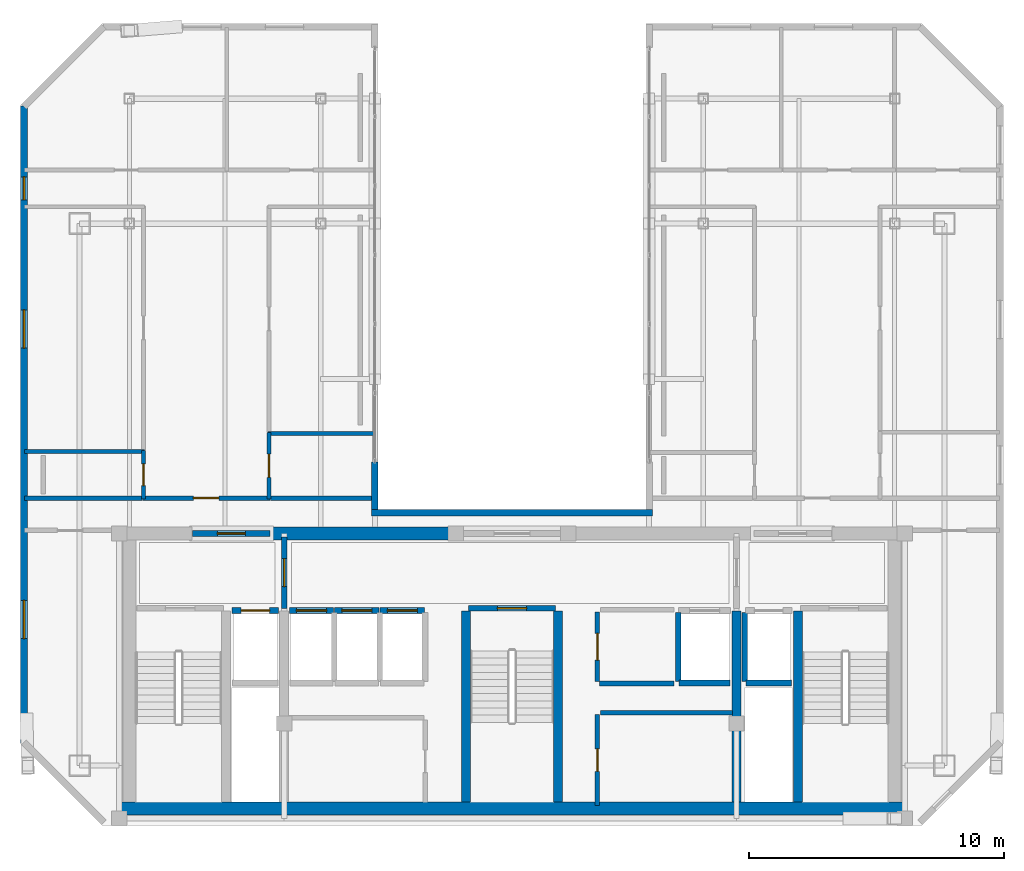
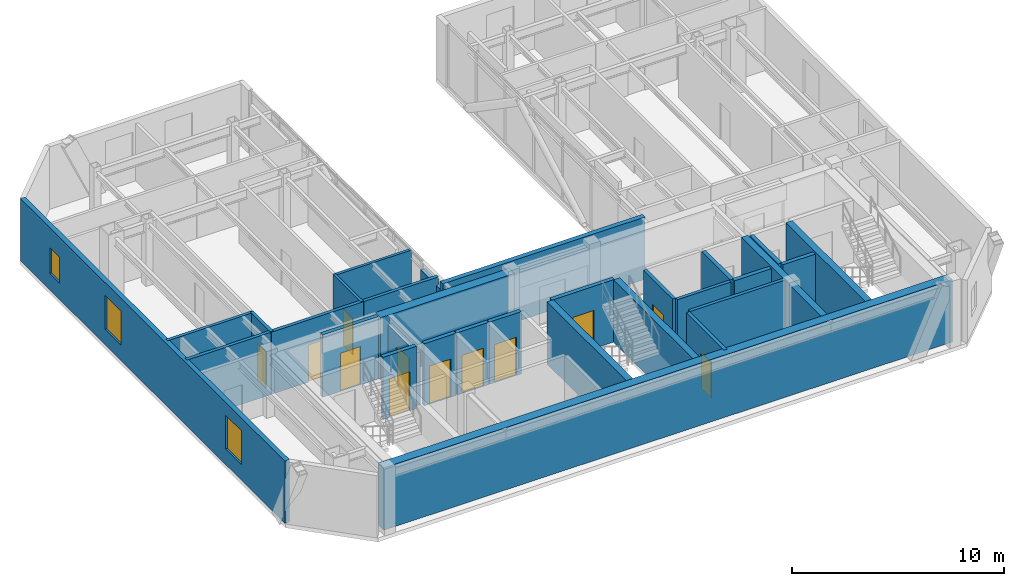
# One storey, part 15 of 19: 31 walls, 12 doors, 3 windows, 15 openings.
"""IFC4 building model written with IfcOpenShell, lengths in metres."""

from ifc_helpers import new_model, si_unit, direction, frame, frame_2d, origin, place, context, subcontext, project, spatial, rectangle, extrude, material, layer, layer_set, type_object, element, fill, save


model = new_model("IFC4")

# Units and contexts
model_context = context("Model", 3, precision=1e-05, world=origin(), true_north=direction((0.0, 1.0)))
body_context = subcontext(model_context, "Body", "Model", "MODEL_VIEW")
ifc_project = project(units=[si_unit("LENGTHUNIT", "METRE"), si_unit("AREAUNIT", "SQUARE_METRE"), si_unit("VOLUMEUNIT", "CUBIC_METRE"), si_unit("PLANEANGLEUNIT", "RADIAN"), si_unit("MASSUNIT", "GRAM", prefix="KILO")], contexts=[model_context])

# Site, building, storey
site_placement = place(None, origin())
site = spatial("IfcSite", under=ifc_project, at=site_placement, CompositionType="ELEMENT")
building_placement = place(site_placement, origin())
building = spatial("IfcBuilding", under=site, at=building_placement, Name="Ventersveld Concourse Tower", CompositionType="ELEMENT")
storey_placement = place(building_placement, frame((0.0, 0.0, 345.199951171875)))
storey = spatial("IfcBuildingStorey", under=building, at=storey_placement, Name="L85", CompositionType="ELEMENT", Elevation=345.199951171875)

# Walls
ifc_material_1 = material(Name="Concrete C50/60", Category="concrete")
ifc_layer_1 = layer(ifc_material_1, 0.35009765625)
ifc_layer_set_1 = layer_set([ifc_layer_1], Name="Concrete C50/60")
wall_type_1 = type_object("IfcWallType", Name="WL-CORE-350U", PredefinedType="SHEAR", material=ifc_layer_set_1)
for number, where, z_axis, x_axis, name in (
    (1, (26.93994140625, 0.919921875, 0.0), (0.0, 0.0, 1.0), (0.0, 1.0, 0.0), "L85 Core Internal Shear Web W-ST3-W"),
    (2, (30.56005859375, 0.919921875, 0.0), (0.0, 0.0, 1.0), (0.0, 1.0, 0.0), "L85 Core Internal Shear Web W-ST3-E"),
    (3, (37.550048828125, 0.919921875, 0.0), (0.0, 0.0, 1.0), (0.0, 1.0, 0.0), "L85 Core Internal Shear Web W-SVL-W"),
    (4, (39.9599609375, 0.919921875, 0.0), (0.0, 0.0, 1.0), (0.0, 1.0, 0.0), "L85 Core Internal Shear Web W-ST2-W"),
):
    element("IfcWall", number, at=place(storey_placement, frame(where, z_axis=z_axis, x_axis=x_axis)), inside=storey, type_object=wall_type_1, Name=name, PredefinedType="SHEAR", context=body_context, shape_type="SweptSolid", body=[
        extrude(rectangle(XDim=7.5, YDim=0.35009765625, at=frame_2d((3.75, 0.0))), origin(), (0.0, 0.0, 1.0), 3.590087890625),
    ])
ifc_layer_2 = layer(ifc_material_1, 0.5)
ifc_layer_set_2 = layer_set([ifc_layer_2], Name="Concrete C50/60")
wall_type_2 = type_object("IfcWallType", Name="WL-CORE-500", PredefinedType="SHEAR", material=ifc_layer_set_2)
wall_1_placement = place(storey_placement, frame((13.25, 0.669921875, 0.0), z_axis=(0.0, 0.0, 1.0), x_axis=(1.0, 0.0, 0.0)))
element("IfcWall", 5, at=wall_1_placement, inside=storey, type_object=wall_type_2, Name="L85 Rear Core South Shear Wall", PredefinedType="SHEAR", context=body_context, shape_type="SweptSolid", body=[
    extrude(rectangle(XDim=31.0, YDim=0.5, at=frame_2d((15.5, 0.0))), origin(), (0.0, 0.0, 1.0), 3.590087890625),
])
wall_2_placement = place(storey_placement, frame((19.300048828125, 11.449951171875, 0.0), z_axis=(0.0, 0.0, 1.0), x_axis=(1.0, 0.0, 0.0)))
element("IfcWall", 6, at=wall_2_placement, inside=storey, type_object=wall_type_2, Name="L85 Rear Core North Shear Wall NML", PredefinedType="SHEAR", context=body_context, shape_type="SweptSolid", body=[
    extrude(rectangle(XDim=7.300048828125, YDim=0.5, at=frame_2d((3.64990234375, 0.0))), origin(), (0.0, 0.0, 1.0), 3.590087890625),
])

# Wall, opening, door
ifc_material_2 = material(Name="Fire-rated autoclaved aerated masonry blockwork", Category="masonry")
ifc_layer_3 = layer(ifc_material_2, 0.179931640625)
ifc_layer_set_3 = layer_set([ifc_layer_3], Name="Fire-rated autoclaved aerated masonry blockwork")
wall_type_3 = type_object("IfcWallType", Name="WL-CORR-180", PredefinedType="PARTITIONING", material=ifc_layer_set_3)
wall_3_placement = place(storey_placement, frame((32.10009765625, 0.780029296875, 0.0), z_axis=(0.0, 0.0, 1.0), x_axis=(0.0, 1.0, 0.0)))
wall_3 = element("IfcWall", 7, at=wall_3_placement, inside=storey, type_object=wall_type_3, Name="L85 Core Passage Wall SP-L85-RECB2A", PredefinedType="PARTITIONING", context=body_context, shape_type="SweptSolid", body=[
    extrude(rectangle(XDim=3.570068359375, YDim=0.179931640625, at=frame_2d((1.78515625, 0.0))), origin(), (0.0, 0.0, 1.0), 3.590087890625),
])
opening_1_placement = place(wall_3_placement, frame((1.344970703125, 0.0, 0.0)))
opening_1 = element("IfcOpeningElement", 8, at=opening_1_placement, cuts=wall_3, Name="Opening FD5", PredefinedType="OPENING", context=body_context, shape_type="SweptSolid", body=[
    extrude(rectangle(XDim=0.8798828125, YDim=2.050048828125, at=frame_2d((0.43994140625, 1.02490234375))), frame((0.0, 0.10009765625, 0.0), z_axis=(0.0, -1.0, 0.0), x_axis=(1.0, 0.0, 0.0)), (0.0, 0.0, 1.0), 0.199951171875),
])
ifc_material_3 = material(Name="Galvanised painted steel", Category="steel")
door_type_1 = type_object("IfcDoorType", Name="DR-RISER-088", OperationType="NOTDEFINED", PredefinedType="DOOR", material=ifc_material_3)
door_1_placement = place(opening_1_placement, origin())
door_1 = element("IfcDoor", 9, at=door_1_placement, inside=storey, type_object=door_type_1, Name="L85 Core Room Door L85 Reclaimed Core Co-Working Study (CD-L85-3809)", OperationType="SINGLE_SWING_RIGHT", OverallHeight=2.050048828125, OverallWidth=0.8798828125, PredefinedType="DOOR", context=body_context, shape_type="SweptSolid", body=[
    extrude(rectangle(XDim=0.8798828125, YDim=2.050048828125, at=frame_2d((0.43994140625, 1.02490234375))), frame((0.0, 0.02490234375, 0.0), z_axis=(0.0, -1.0, 0.0), x_axis=(1.0, 0.0, 0.0)), (0.0, 0.0, 1.0), 0.050048828125),
])
fill(opening_1, door_1)

# Wall
wall_4_placement = place(storey_placement, frame((32.219970703125, 4.429931640625, 0.0), z_axis=(0.0, 0.0, 1.0), x_axis=(1.0, 0.0, 0.0)))
element("IfcWall", 10, at=wall_4_placement, inside=storey, type_object=wall_type_3, Name="L85 Core Top Wall SP-L85-RECB2A", PredefinedType="PARTITIONING", context=body_context, shape_type="SweptSolid", body=[
    extrude(rectangle(XDim=5.179931640625, YDim=0.179931640625, at=frame_2d((2.58984375, 0.0))), origin(), (0.0, 0.0, 1.0), 3.590087890625),
])

# Wall, opening, door
wall_5_placement = place(storey_placement, frame((32.10009765625, 5.64990234375, 0.0), z_axis=(0.0, 0.0, 1.0), x_axis=(0.0, 1.0, 0.0)))
wall_5 = element("IfcWall", 11, at=wall_5_placement, inside=storey, type_object=wall_type_3, Name="L85 Core Passage Wall SP-L85-CBAY1", PredefinedType="PARTITIONING", context=body_context, shape_type="SweptSolid", body=[
    extrude(rectangle(XDim=2.72998046875, YDim=0.179931640625, at=frame_2d((1.364990234375, 0.0))), origin(), (0.0, 0.0, 1.0), 3.590087890625),
])
opening_2_placement = place(wall_5_placement, frame((0.840087890625, 0.0, 0.0)))
opening_2 = element("IfcOpeningElement", 12, at=opening_2_placement, cuts=wall_5, Name="Opening ID3", PredefinedType="OPENING", context=body_context, shape_type="SweptSolid", body=[
    extrude(rectangle(XDim=1.050048828125, YDim=2.14990234375, at=frame_2d((0.52490234375, 1.074951171875))), frame((0.0, 0.10009765625, 0.0), z_axis=(0.0, -1.0, 0.0), x_axis=(1.0, 0.0, 0.0)), (0.0, 0.0, 1.0), 0.199951171875),
])
ifc_material_4 = material(Name="Solid-core hardwood veneer timber", Category="wood")
door_type_2 = type_object("IfcDoorType", Name="DR-AWC-105", OperationType="NOTDEFINED", PredefinedType="DOOR", material=ifc_material_4)
door_2_placement = place(opening_2_placement, origin())
door_2 = element("IfcDoor", 13, at=door_2_placement, inside=storey, type_object=door_type_2, Name="L85 Core Room Door L85 Core Unisex Accessible WC (CD-L85-3810)", OperationType="SINGLE_SWING_LEFT", OverallHeight=2.14990234375, OverallWidth=1.050048828125, PredefinedType="DOOR", context=body_context, shape_type="SweptSolid", body=[
    extrude(rectangle(XDim=1.050048828125, YDim=2.14990234375, at=frame_2d((0.52490234375, 1.074951171875))), frame((0.0, 0.02490234375, 0.0), z_axis=(0.0, -1.0, 0.0), x_axis=(1.0, 0.0, 0.0)), (0.0, 0.0, 1.0), 0.050048828125),
])
fill(opening_2, door_2)

# Wall
wall_6_placement = place(storey_placement, frame((32.179931640625, 5.570068359375, 0.0), z_axis=(0.0, 0.0, 1.0), x_axis=(1.0, 0.0, 0.0)))
element("IfcWall", 14, at=wall_6_placement, inside=storey, type_object=wall_type_3, Name="L85 Core Bot Wall SP-L85-CBAY1", PredefinedType="PARTITIONING", context=body_context, shape_type="SweptSolid", body=[
    extrude(rectangle(XDim=2.920166015625, YDim=0.179931640625, at=frame_2d((1.4599609375, 0.0))), origin(), (0.0, 0.0, 1.0), 3.590087890625),
])

# Wall, opening, door
wall_7_placement = place(storey_placement, frame((14.2666015625, 12.840087890625, 0.0), z_axis=(0.0, 0.0, 1.0), x_axis=(1.0, 0.0, 0.0)))
wall_7 = element("IfcWall", 15, at=wall_7_placement, inside=storey, type_object=wall_type_3, Name="L85 Interior Partition SP-L85-COR-W-SP-L85-85WA-LIV", PredefinedType="PARTITIONING", context=body_context, shape_type="SweptSolid", body=[
    extrude(rectangle(XDim=4.989990234375, YDim=0.179931640625, at=frame_2d((2.4951171875, 0.0))), origin(), (0.0, 0.0, 1.0), 3.590087890625),
])
opening_3_placement = place(wall_7_placement, frame((1.9951171875, 0.0, 0.0)))
opening_3 = element("IfcOpeningElement", 16, at=opening_3_placement, cuts=wall_7, Name="Opening FD3", PredefinedType="OPENING", context=body_context, shape_type="SweptSolid", body=[
    extrude(rectangle(XDim=1.0, YDim=2.14990234375, at=frame_2d((0.5, 1.074951171875))), frame((0.0, 0.10009765625, 0.0), z_axis=(0.0, -1.0, 0.0), x_axis=(1.0, 0.0, 0.0)), (0.0, 0.0, 1.0), 0.199951171875),
])
door_type_3 = type_object("IfcDoorType", Name="DR-FLAT-100", OperationType="NOTDEFINED", PredefinedType="DOOR", material=ifc_material_4)
door_3_placement = place(opening_3_placement, origin())
door_3 = element("IfcDoor", 17, at=door_3_placement, inside=storey, type_object=door_type_3, Name="L85 Interior Door SP-L85-COR-W to SP-L85-85WA-LIV (FD-L85-3812)", OperationType="SINGLE_SWING_RIGHT", OverallHeight=2.14990234375, OverallWidth=1.0, PredefinedType="DOOR", context=body_context, shape_type="SweptSolid", body=[
    extrude(rectangle(XDim=1.0, YDim=2.14990234375, at=frame_2d((0.5, 1.074951171875))), frame((0.0, 0.02490234375, 0.0), z_axis=(0.0, -1.0, 0.0), x_axis=(1.0, 0.0, 0.0)), (0.0, 0.0, 1.0), 0.050048828125),
])
fill(opening_3, door_3)

# Walls
wall_8_placement = place(storey_placement, frame((9.64013671875, 12.840087890625, 0.0), z_axis=(0.0, 0.0, 1.0), x_axis=(1.0, 0.0, 0.0)))
element("IfcWall", 18, at=wall_8_placement, inside=storey, type_object=wall_type_3, Name="L85 Interior Partition SP-L85-COR-W-SP-L85-85WA-BATH", PredefinedType="PARTITIONING", context=body_context, shape_type="SweptSolid", body=[
    extrude(rectangle(XDim=4.5966796875, YDim=0.179931640625, at=frame_2d((2.29833984375, 0.0))), origin(), (0.0, 0.0, 1.0), 3.590087890625),
])
wall_9_placement = place(storey_placement, frame((19.28662109375, 12.840087890625, 0.0), z_axis=(0.0, 0.0, 1.0), x_axis=(1.0, 0.0, 0.0)))
element("IfcWall", 19, at=wall_9_placement, inside=storey, type_object=wall_type_3, Name="L85 Interior Partition SP-L85-COR-W-SP-L85-85WA-KIT", PredefinedType="PARTITIONING", context=body_context, shape_type="SweptSolid", body=[
    extrude(rectangle(XDim=4.06396484375, YDim=0.179931640625, at=frame_2d((2.031982421875, 0.0))), origin(), (0.0, 0.0, 1.0), 3.590087890625),
])

# Wall, opening, door
ifc_layer_4 = layer(ifc_material_2, 0.219970703125)
ifc_layer_set_4 = layer_set([ifc_layer_4], Name="Fire-rated autoclaved aerated masonry blockwork")
wall_type_4 = type_object("IfcWallType", Name="WL-HOIST-220", PredefinedType="SOLIDWALL", material=ifc_layer_set_4)
wall_10_placement = place(storey_placement, frame((17.780029296875, 8.429931640625, 0.0), z_axis=(0.0, 0.0, 1.0), x_axis=(1.0, 0.0, 0.0)))
wall_10 = element("IfcWall", 20, at=wall_10_placement, inside=storey, type_object=wall_type_4, Name="L85 Lift Hoistway Front Wall FFL-01", PredefinedType="SOLIDWALL", context=body_context, shape_type="SweptSolid", body=[
    extrude(rectangle(XDim=1.820068359375, YDim=0.219970703125, at=frame_2d((0.91015625, 0.0))), origin(), (0.0, 0.0, 1.0), 3.590087890625),
])
opening_4_placement = place(wall_10_placement, frame((0.35009765625, 0.0, 0.0)))
opening_4 = element("IfcOpeningElement", 21, at=opening_4_placement, cuts=wall_10, Name="Opening LD1", PredefinedType="OPENING", context=body_context, shape_type="SweptSolid", body=[
    extrude(rectangle(XDim=1.1201171875, YDim=2.25, at=frame_2d((0.56005859375, 1.125))), frame((0.0, 0.1201171875, 0.0), z_axis=(0.0, -1.0, 0.0), x_axis=(1.0, 0.0, 0.0)), (0.0, 0.0, 1.0), 0.239990234375),
])
ifc_material_5 = material(Name="Brushed stainless steel 316", Category="steel")
door_type_4 = type_object("IfcDoorType", Name="LD-FF-112", OperationType="SLIDING_TO_LEFT", PredefinedType="DOOR", material=ifc_material_5)
door_4_placement = place(opening_4_placement, origin())
door_4 = element("IfcDoor", 22, at=door_4_placement, inside=storey, type_object=door_type_4, Name="L85 Lift landing door FFL-01 (LD-L85-FFL-01)", OperationType="SLIDING_TO_RIGHT", OverallHeight=2.25, OverallWidth=1.1201171875, PredefinedType="DOOR", context=body_context, shape_type="SweptSolid", body=[
    extrude(rectangle(XDim=1.1201171875, YDim=2.25, at=frame_2d((0.56005859375, 1.125))), frame((0.0, 0.02490234375, 0.0), z_axis=(0.0, -1.0, 0.0), x_axis=(1.0, 0.0, 0.0)), (0.0, 0.0, 1.0), 0.050048828125),
])
fill(opening_4, door_4)

# Walls
wall_11_placement = place(storey_placement, frame((37.919921875, 5.590087890625, 0.0), z_axis=(0.0, 0.0, 1.0), x_axis=(1.0, 0.0, 0.0)))
element("IfcWall", 23, at=wall_11_placement, inside=storey, type_object=wall_type_4, Name="L85 Lift Hoistway Back Wall FFL-02", PredefinedType="SOLIDWALL", context=body_context, shape_type="SweptSolid", body=[
    extrude(rectangle(XDim=1.780029296875, YDim=0.219970703125, at=frame_2d((0.89013671875, 0.0))), origin(), (0.0, 0.0, 1.0), 3.590087890625),
])
wall_12_placement = place(storey_placement, frame((37.8798828125, 5.64990234375, 0.0), z_axis=(0.0, 0.0, 1.0), x_axis=(0.0, 1.0, 0.0)))
element("IfcWall", 24, at=wall_12_placement, inside=storey, type_object=wall_type_4, Name="L85 Lift Hoistway Side Wall FFL-02W", PredefinedType="SOLIDWALL", context=body_context, shape_type="SweptSolid", body=[
    extrude(rectangle(XDim=2.7001953125, YDim=0.219970703125, at=frame_2d((1.35009765625, 0.0))), origin(), (0.0, 0.0, 1.0), 3.590087890625),
])
wall_13_placement = place(storey_placement, frame((35.300048828125, 5.590087890625, 0.0), z_axis=(0.0, 0.0, 1.0), x_axis=(1.0, 0.0, 0.0)))
element("IfcWall", 25, at=wall_13_placement, inside=storey, type_object=wall_type_4, Name="L85 Lift Hoistway Back Wall SVL-01", PredefinedType="SOLIDWALL", context=body_context, shape_type="SweptSolid", body=[
    extrude(rectangle(XDim=2.0, YDim=0.219970703125, at=frame_2d((1.0, 0.0))), origin(), (0.0, 0.0, 1.0), 3.590087890625),
])
wall_14_placement = place(storey_placement, frame((35.260009765625, 5.64990234375, 0.0), z_axis=(0.0, 0.0, 1.0), x_axis=(0.0, 1.0, 0.0)))
element("IfcWall", 26, at=wall_14_placement, inside=storey, type_object=wall_type_4, Name="L85 Lift Hoistway Side Wall SVL-01W", PredefinedType="SOLIDWALL", context=body_context, shape_type="SweptSolid", body=[
    extrude(rectangle(XDim=2.7001953125, YDim=0.219970703125, at=frame_2d((1.35009765625, 0.0))), origin(), (0.0, 0.0, 1.0), 3.590087890625),
])

# Wall, opening, door
wall_15_placement = place(storey_placement, frame((20.02001953125, 8.429931640625, 0.0), z_axis=(0.0, 0.0, 1.0), x_axis=(1.0, 0.0, 0.0)))
wall_15 = element("IfcWall", 27, at=wall_15_placement, inside=storey, type_object=wall_type_4, Name="L85 Lift Hoistway Front Wall PH-01", PredefinedType="SOLIDWALL", context=body_context, shape_type="SweptSolid", body=[
    extrude(rectangle(XDim=1.739990234375, YDim=0.219970703125, at=frame_2d((0.8701171875, 0.0))), origin(), (0.0, 0.0, 1.0), 3.590087890625),
])
opening_5_placement = place(wall_15_placement, frame((0.280029296875, 0.0, 0.0)))
opening_5 = element("IfcOpeningElement", 28, at=opening_5_placement, cuts=wall_15, Name="Opening LD2", PredefinedType="OPENING", context=body_context, shape_type="SweptSolid", body=[
    extrude(rectangle(XDim=1.179931640625, YDim=2.199951171875, at=frame_2d((0.58984375, 1.10009765625))), frame((0.0, 0.1201171875, 0.0), z_axis=(0.0, -1.0, 0.0), x_axis=(1.0, 0.0, 0.0)), (0.0, 0.0, 1.0), 0.239990234375),
])
door_type_5 = type_object("IfcDoorType", Name="LD-PAX-118", OperationType="SLIDING_TO_LEFT", PredefinedType="DOOR", material=ifc_material_5)
door_5_placement = place(opening_5_placement, origin())
door_5 = element("IfcDoor", 29, at=door_5_placement, inside=storey, type_object=door_type_5, Name="L85 Lift landing door PH-01 (LD-L85-PH-01)", OperationType="SLIDING_TO_LEFT", OverallHeight=2.199951171875, OverallWidth=1.179931640625, PredefinedType="DOOR", context=body_context, shape_type="SweptSolid", body=[
    extrude(rectangle(XDim=1.179931640625, YDim=2.199951171875, at=frame_2d((0.58984375, 1.10009765625))), frame((0.0, 0.02490234375, 0.0), z_axis=(0.0, -1.0, 0.0), x_axis=(1.0, 0.0, 0.0)), (0.0, 0.0, 1.0), 0.050048828125),
])
fill(opening_5, door_5)

wall_16_placement = place(storey_placement, frame((21.800048828125, 8.429931640625, 0.0), z_axis=(0.0, 0.0, 1.0), x_axis=(1.0, 0.0, 0.0)))
wall_16 = element("IfcWall", 30, at=wall_16_placement, inside=storey, type_object=wall_type_4, Name="L85 Lift Hoistway Front Wall PH-02", PredefinedType="SOLIDWALL", context=body_context, shape_type="SweptSolid", body=[
    extrude(rectangle(XDim=1.739990234375, YDim=0.219970703125, at=frame_2d((0.8701171875, 0.0))), origin(), (0.0, 0.0, 1.0), 3.590087890625),
])
opening_6_placement = place(wall_16_placement, frame((0.280029296875, 0.0, 0.0)))
opening_6 = element("IfcOpeningElement", 31, at=opening_6_placement, cuts=wall_16, Name="Opening LD2", PredefinedType="OPENING", context=body_context, shape_type="SweptSolid", body=[
    extrude(rectangle(XDim=1.179931640625, YDim=2.199951171875, at=frame_2d((0.58984375, 1.10009765625))), frame((0.0, 0.1201171875, 0.0), z_axis=(0.0, -1.0, 0.0), x_axis=(1.0, 0.0, 0.0)), (0.0, 0.0, 1.0), 0.239990234375),
])
door_6_placement = place(opening_6_placement, origin())
door_6 = element("IfcDoor", 32, at=door_6_placement, inside=storey, type_object=door_type_5, Name="L85 Lift landing door PH-02 (LD-L85-PH-02)", OperationType="SLIDING_TO_RIGHT", OverallHeight=2.199951171875, OverallWidth=1.179931640625, PredefinedType="DOOR", context=body_context, shape_type="SweptSolid", body=[
    extrude(rectangle(XDim=1.179931640625, YDim=2.199951171875, at=frame_2d((0.58984375, 1.10009765625))), frame((0.0, 0.02490234375, 0.0), z_axis=(0.0, -1.0, 0.0), x_axis=(1.0, 0.0, 0.0)), (0.0, 0.0, 1.0), 0.050048828125),
])
fill(opening_6, door_6)

wall_17_placement = place(storey_placement, frame((23.580078125, 8.429931640625, 0.0), z_axis=(0.0, 0.0, 1.0), x_axis=(1.0, 0.0, 0.0)))
wall_17 = element("IfcWall", 33, at=wall_17_placement, inside=storey, type_object=wall_type_4, Name="L85 Lift Hoistway Front Wall PH-03", PredefinedType="SOLIDWALL", context=body_context, shape_type="SweptSolid", body=[
    extrude(rectangle(XDim=1.739990234375, YDim=0.219970703125, at=frame_2d((0.8701171875, 0.0))), origin(), (0.0, 0.0, 1.0), 3.590087890625),
])
opening_7_placement = place(wall_17_placement, frame((0.280029296875, 0.0, 0.0)))
opening_7 = element("IfcOpeningElement", 34, at=opening_7_placement, cuts=wall_17, Name="Opening LD2", PredefinedType="OPENING", context=body_context, shape_type="SweptSolid", body=[
    extrude(rectangle(XDim=1.179931640625, YDim=2.199951171875, at=frame_2d((0.58984375, 1.10009765625))), frame((0.0, 0.1201171875, 0.0), z_axis=(0.0, -1.0, 0.0), x_axis=(1.0, 0.0, 0.0)), (0.0, 0.0, 1.0), 0.239990234375),
])
door_7_placement = place(opening_7_placement, origin())
door_7 = element("IfcDoor", 35, at=door_7_placement, inside=storey, type_object=door_type_5, Name="L85 Lift landing door PH-03 (LD-L85-PH-03)", OperationType="SLIDING_TO_LEFT", OverallHeight=2.199951171875, OverallWidth=1.179931640625, PredefinedType="DOOR", context=body_context, shape_type="SweptSolid", body=[
    extrude(rectangle(XDim=1.179931640625, YDim=2.199951171875, at=frame_2d((0.58984375, 1.10009765625))), frame((0.0, 0.02490234375, 0.0), z_axis=(0.0, -1.0, 0.0), x_axis=(1.0, 0.0, 0.0)), (0.0, 0.0, 1.0), 0.050048828125),
])
fill(opening_7, door_7)

wall_18_placement = place(storey_placement, frame((27.0400390625, 8.52001953125, 0.0), z_axis=(0.0, 0.0, 1.0), x_axis=(1.0, 0.0, 0.0)))
wall_18 = element("IfcWall", 36, at=wall_18_placement, inside=storey, type_object=wall_type_4, Name="L85 Escape Stair ST03 Fire Wall", PredefinedType="SOLIDWALL", context=body_context, shape_type="SweptSolid", body=[
    extrude(rectangle(XDim=3.419921875, YDim=0.219970703125, at=frame_2d((1.7099609375, 0.0))), origin(), (0.0, 0.0, 1.0), 3.590087890625),
])
opening_8_placement = place(wall_18_placement, frame((1.135009765625, 0.0, 0.0)))
opening_8 = element("IfcOpeningElement", 37, at=opening_8_placement, cuts=wall_18, Name="Opening FD1", PredefinedType="OPENING", context=body_context, shape_type="SweptSolid", body=[
    extrude(rectangle(XDim=1.14990234375, YDim=2.199951171875, at=frame_2d((0.574951171875, 1.10009765625))), frame((0.0, 0.1201171875, 0.0), z_axis=(0.0, -1.0, 0.0), x_axis=(1.0, 0.0, 0.0)), (0.0, 0.0, 1.0), 0.239990234375),
])
door_type_6 = type_object("IfcDoorType", Name="DR-STAIR-115", OperationType="NOTDEFINED", PredefinedType="DOOR", material=ifc_material_3)
door_8_placement = place(opening_8_placement, origin())
door_8 = element("IfcDoor", 38, at=door_8_placement, inside=storey, type_object=door_type_6, Name="L85 Escape Stair Door ST03 (SD-L85-3802)", OperationType="SINGLE_SWING_LEFT", OverallHeight=2.199951171875, OverallWidth=1.14990234375, PredefinedType="DOOR", context=body_context, shape_type="SweptSolid", body=[
    extrude(rectangle(XDim=1.14990234375, YDim=2.199951171875, at=frame_2d((0.574951171875, 1.10009765625))), frame((0.0, 0.02490234375, 0.0), z_axis=(0.0, -1.0, 0.0), x_axis=(1.0, 0.0, 0.0)), (0.0, 0.0, 1.0), 0.050048828125),
])
fill(opening_8, door_8)

wall_19_placement = place(storey_placement, frame((19.820068359375, 8.52001953125, 0.0), z_axis=(0.0, 0.0, 1.0), x_axis=(0.0, 1.0, 0.0)))
wall_19 = element("IfcWall", 39, at=wall_19_placement, inside=storey, type_object=wall_type_4, Name="L85 Firefighting Lobby Smoke-Stop Wall FFLW-SEP", PredefinedType="SOLIDWALL", context=body_context, shape_type="SweptSolid", body=[
    extrude(rectangle(XDim=2.800048828125, YDim=0.219970703125, at=frame_2d((1.39990234375, 0.0))), origin(), (0.0, 0.0, 1.0), 3.045654296875),
])
opening_9_placement = place(wall_19_placement, frame((0.85009765625, 0.0, 0.0)))
opening_9 = element("IfcOpeningElement", 40, at=opening_9_placement, cuts=wall_19, Name="Opening FD2", PredefinedType="OPENING", context=body_context, shape_type="SweptSolid", body=[
    extrude(rectangle(XDim=1.10009765625, YDim=2.199951171875, at=frame_2d((0.550048828125, 1.10009765625))), frame((0.0, 0.1201171875, 0.0), z_axis=(0.0, -1.0, 0.0), x_axis=(1.0, 0.0, 0.0)), (0.0, 0.0, 1.0), 0.239990234375),
])
door_type_7 = type_object("IfcDoorType", Name="DR-FFL-110", OperationType="NOTDEFINED", PredefinedType="DOOR", material=ifc_material_3)
door_9_placement = place(opening_9_placement, origin())
door_9 = element("IfcDoor", 41, at=door_9_placement, inside=storey, type_object=door_type_7, Name="L85 Firefighting Lobby Door FFLW-SEP (FD-L85-3803)", OperationType="SINGLE_SWING_LEFT", OverallHeight=2.199951171875, OverallWidth=1.10009765625, PredefinedType="DOOR", context=body_context, shape_type="SweptSolid", body=[
    extrude(rectangle(XDim=1.10009765625, YDim=2.199951171875, at=frame_2d((0.550048828125, 1.10009765625))), frame((0.0, 0.02490234375, 0.0), z_axis=(0.0, -1.0, 0.0), x_axis=(1.0, 0.0, 0.0)), (0.0, 0.0, 1.0), 0.050048828125),
])
fill(opening_9, door_9)

wall_20_placement = place(storey_placement, frame((16.22998046875, 11.449951171875, 0.0), z_axis=(0.0, 0.0, 1.0), x_axis=(1.0, 0.0, 0.0)))
wall_20 = element("IfcWall", 42, at=wall_20_placement, inside=storey, type_object=wall_type_4, Name="L85 Core North Fire Portal FFLW-OUT", PredefinedType="SOLIDWALL", context=body_context, shape_type="SweptSolid", body=[
    extrude(rectangle(XDim=3.0400390625, YDim=0.219970703125, at=frame_2d((1.52001953125, 0.0))), origin(), (0.0, 0.0, 1.0), 3.590087890625),
])
opening_10_placement = place(wall_20_placement, frame((0.969970703125, 0.0, 0.0)))
opening_10 = element("IfcOpeningElement", 43, at=opening_10_placement, cuts=wall_20, Name="Opening FD2", PredefinedType="OPENING", context=body_context, shape_type="SweptSolid", body=[
    extrude(rectangle(XDim=1.10009765625, YDim=2.199951171875, at=frame_2d((0.550048828125, 1.10009765625))), frame((0.0, 0.1201171875, 0.0), z_axis=(0.0, -1.0, 0.0), x_axis=(1.0, 0.0, 0.0)), (0.0, 0.0, 1.0), 0.239990234375),
])
door_10_placement = place(opening_10_placement, origin())
door_10 = element("IfcDoor", 44, at=door_10_placement, inside=storey, type_object=door_type_7, Name="L85 Core Lobby Fire Door FFLW-OUT (FD-L85-3805)", OperationType="SINGLE_SWING_RIGHT", OverallHeight=2.199951171875, OverallWidth=1.10009765625, PredefinedType="DOOR", context=body_context, shape_type="SweptSolid", body=[
    extrude(rectangle(XDim=1.10009765625, YDim=2.199951171875, at=frame_2d((0.550048828125, 1.10009765625))), frame((0.0, 0.02490234375, 0.0), z_axis=(0.0, -1.0, 0.0), x_axis=(1.0, 0.0, 0.0)), (0.0, 0.0, 1.0), 0.050048828125),
])
fill(opening_10, door_10)

ifc_material_6 = material(Name="Autoclaved aerated masonry blockwork", Category="masonry")
ifc_layer_5 = layer(ifc_material_6, 0.14990234375)
ifc_layer_set_5 = layer_set([ifc_layer_5], Name="Autoclaved aerated masonry blockwork")
wall_type_5 = type_object("IfcWallType", Name="WL-INT-150", PredefinedType="PARTITIONING", material=ifc_layer_set_5)
wall_21_placement = place(storey_placement, frame((19.2216796875, 12.804931640625, 0.0), z_axis=(0.0, 0.0, 1.0), x_axis=(0.0, 1.0, 0.0)))
wall_21 = element("IfcWall", 45, at=wall_21_placement, inside=storey, type_object=wall_type_5, Name="L85 Interior Partition SP-L85-85WA-LIV-SP-L85-85WA-KIT", PredefinedType="PARTITIONING", context=body_context, shape_type="SweptSolid", body=[
    extrude(rectangle(XDim=2.603271484375, YDim=0.14990234375, at=frame_2d((1.3017578125, 0.0))), origin(), (0.0, 0.0, 1.0), 3.590087890625),
])
opening_11_placement = place(wall_21_placement, frame((0.841552734375, 0.0, 0.0)))
opening_11 = element("IfcOpeningElement", 46, at=opening_11_placement, cuts=wall_21, Name="Opening ID1", PredefinedType="OPENING", context=body_context, shape_type="SweptSolid", body=[
    extrude(rectangle(XDim=0.919921875, YDim=2.10009765625, at=frame_2d((0.4599609375, 1.050048828125))), frame((0.0, 0.0849609375, 0.0), z_axis=(0.0, -1.0, 0.0), x_axis=(1.0, 0.0, 0.0)), (0.0, 0.0, 1.0), 0.169921875),
])
door_type_8 = type_object("IfcDoorType", Name="DR-ROOM-092", OperationType="NOTDEFINED", PredefinedType="DOOR", material=ifc_material_4)
door_11_placement = place(opening_11_placement, origin())
door_11 = element("IfcDoor", 47, at=door_11_placement, inside=storey, type_object=door_type_8, Name="L85 Interior Door SP-L85-85WA-LIV to SP-L85-85WA-KIT (D-L85-3817)", OperationType="SINGLE_SWING_LEFT", OverallHeight=2.10009765625, OverallWidth=0.919921875, PredefinedType="DOOR", context=body_context, shape_type="SweptSolid", body=[
    extrude(rectangle(XDim=0.919921875, YDim=2.10009765625, at=frame_2d((0.4599609375, 1.050048828125))), frame((0.0, 0.02490234375, 0.0), z_axis=(0.0, -1.0, 0.0), x_axis=(1.0, 0.0, 0.0)), (0.0, 0.0, 1.0), 0.050048828125),
])
fill(opening_11, door_11)

# Walls
wall_22_placement = place(storey_placement, frame((19.186767578125, 15.373046875, 0.0), z_axis=(0.0, 0.0, 1.0), x_axis=(1.0, 0.0, 0.0)))
element("IfcWall", 48, at=wall_22_placement, inside=storey, type_object=wall_type_5, Name="L85 Interior Partition SP-L85-85WA-KIT-SP-L85-85WA-DENR", PredefinedType="PARTITIONING", context=body_context, shape_type="SweptSolid", body=[
    extrude(rectangle(XDim=4.165283203125, YDim=0.14990234375, at=frame_2d((2.08251953125, 0.0))), origin(), (0.0, 0.0, 1.0), 3.590087890625),
])
ifc_material_7 = material(Name="Precast concrete C45/55", Category="concrete")
ifc_layer_6 = layer(ifc_material_7, 0.260009765625)
ifc_layer_set_6 = layer_set([ifc_layer_6], Name="Precast concrete C45/55")
wall_type_6 = type_object("IfcWallType", Name="WL-PREC-260", PredefinedType="SOLIDWALL", material=ifc_layer_set_6)
wall_23_placement = place(storey_placement, frame((34.260009765625, 12.27001953125, 0.0), z_axis=(0.0, 0.0, 1.0), x_axis=(-1.0, 0.0, 0.0)))
element("IfcWall", 49, at=wall_23_placement, inside=storey, type_object=wall_type_6, Name="L85 Highveld Precast Facade Wall E07", PredefinedType="SOLIDWALL", context=body_context, shape_type="SweptSolid", body=[
    extrude(rectangle(XDim=11.02001953125, YDim=0.260009765625, at=frame_2d((5.510009765625, 0.0))), origin(), (0.0, 0.0, 1.0), 3.590087890625),
])
wall_24_placement = place(storey_placement, frame((23.3701171875, 12.39990234375, 0.0), z_axis=(0.0, 0.0, 1.0), x_axis=(0.0, 1.0, 0.0)))
element("IfcWall", 50, at=wall_24_placement, inside=storey, type_object=wall_type_6, Name="L85 Wind Portal South Cheek Pier", PredefinedType="SOLIDWALL", context=body_context, shape_type="SweptSolid", body=[
    extrude(rectangle(XDim=1.85009765625, YDim=0.260009765625, at=frame_2d((0.925048828125, 0.0))), origin(), (0.0, 0.0, 1.0), 3.130126953125),
])

# Wall, openings, windows
wall_25_placement = place(storey_placement, frame((9.62060546875, 28.202392578125, 0.0), z_axis=(0.0, 0.0, 1.0), x_axis=(0.0, -1.0, 0.0)))
wall_25 = element("IfcWall", 51, at=wall_25_placement, inside=storey, type_object=wall_type_6, Name="L85 Highveld Precast Facade Wall E11", PredefinedType="SOLIDWALL", context=body_context, shape_type="SweptSolid", body=[
    extrude(rectangle(XDim=24.96240234375, YDim=0.260009765625, at=frame_2d((12.481201171875, 0.0))), origin(), (0.0, 0.0, 1.0), 3.590087890625),
])
opening_12_placement = place(wall_25_placement, frame((19.372314453125, 0.0, 0.89990234375)))
opening_12 = element("IfcOpeningElement", 52, at=opening_12_placement, cuts=wall_25, Name="Opening W1", PredefinedType="OPENING", context=body_context, shape_type="SweptSolid", body=[
    extrude(rectangle(XDim=1.5, YDim=1.949951171875, at=frame_2d((0.75, 0.97509765625))), frame((0.0, 0.14013671875, 0.0), z_axis=(0.0, -1.0, 0.0), x_axis=(1.0, 0.0, 0.0)), (0.0, 0.0, 1.0), 0.280029296875),
])
opening_13_placement = place(wall_25_placement, frame((2.77001953125, 0.0, 0.949951171875)))
opening_13 = element("IfcOpeningElement", 53, at=opening_13_placement, cuts=wall_25, Name="Opening W4", PredefinedType="OPENING", context=body_context, shape_type="SweptSolid", body=[
    extrude(rectangle(XDim=0.89990234375, YDim=1.5, at=frame_2d((0.449951171875, 0.75))), frame((0.0, 0.14013671875, 0.0), z_axis=(0.0, -1.0, 0.0), x_axis=(1.0, 0.0, 0.0)), (0.0, 0.0, 1.0), 0.280029296875),
])
opening_14_placement = place(wall_25_placement, frame((7.98876953125, 0.0, 0.89990234375)))
opening_14 = element("IfcOpeningElement", 54, at=opening_14_placement, cuts=wall_25, Name="Opening W1", PredefinedType="OPENING", context=body_context, shape_type="SweptSolid", body=[
    extrude(rectangle(XDim=1.5, YDim=1.949951171875, at=frame_2d((0.75, 0.97509765625))), frame((0.0, 0.14013671875, 0.0), z_axis=(0.0, -1.0, 0.0), x_axis=(1.0, 0.0, 0.0)), (0.0, 0.0, 1.0), 0.280029296875),
])
ifc_material_8 = material(Name="Tempered acoustic Low-E IGU", Category="glass")
window_type_1 = type_object("IfcWindowType", Name="WIN-090x150", PartitioningType="SINGLE_PANEL", PredefinedType="WINDOW", material=ifc_material_8)
window_1_placement = place(opening_13_placement, origin())
window_1 = element("IfcWindow", 55, at=window_1_placement, inside=storey, type_object=window_type_1, Name="L85 Punched Low-E Window W-1191", OverallHeight=1.5, OverallWidth=0.89990234375, PartitioningType="SINGLE_PANEL", PredefinedType="WINDOW", context=body_context, shape_type="SweptSolid", body=[
    extrude(rectangle(XDim=0.89990234375, YDim=1.5, at=frame_2d((0.449951171875, 0.75))), frame((0.0, 0.030029296875, 0.0), z_axis=(0.0, -1.0, 0.0), x_axis=(1.0, 0.0, 0.0)), (0.0, 0.0, 1.0), 0.06005859375),
])
fill(opening_13, window_1)
window_type_2 = type_object("IfcWindowType", Name="WIN-150x210", PartitioningType="SINGLE_PANEL", PredefinedType="WINDOW", material=ifc_material_8)
window_2_placement = place(opening_12_placement, origin())
window_2 = element("IfcWindow", 56, at=window_2_placement, inside=storey, type_object=window_type_2, Name="L85 Punched Low-E Window W-1189", OverallHeight=1.949951171875, OverallWidth=1.5, PartitioningType="SINGLE_PANEL", PredefinedType="WINDOW", context=body_context, shape_type="SweptSolid", body=[
    extrude(rectangle(XDim=1.5, YDim=1.949951171875, at=frame_2d((0.75, 0.97509765625))), frame((0.0, 0.030029296875, 0.0), z_axis=(0.0, -1.0, 0.0), x_axis=(1.0, 0.0, 0.0)), (0.0, 0.0, 1.0), 0.06005859375),
])
fill(opening_12, window_2)
window_3_placement = place(opening_14_placement, origin())
window_3 = element("IfcWindow", 57, at=window_3_placement, inside=storey, type_object=window_type_2, Name="L85 Punched Low-E Window W-1192", OverallHeight=1.949951171875, OverallWidth=1.5, PartitioningType="SINGLE_PANEL", PredefinedType="WINDOW", context=body_context, shape_type="SweptSolid", body=[
    extrude(rectangle(XDim=1.5, YDim=1.949951171875, at=frame_2d((0.75, 0.97509765625))), frame((0.0, 0.030029296875, 0.0), z_axis=(0.0, -1.0, 0.0), x_axis=(1.0, 0.0, 0.0)), (0.0, 0.0, 1.0), 0.06005859375),
])
fill(opening_14, window_3)

# Wall, opening, door
ifc_layer_7 = layer(ifc_material_6, 0.1650390625)
ifc_layer_set_7 = layer_set([ifc_layer_7], Name="Autoclaved aerated masonry blockwork")
wall_type_7 = type_object("IfcWallType", Name="WL-WET-165", PredefinedType="PLUMBINGWALL", material=ifc_layer_set_7)
wall_26_placement = place(storey_placement, frame((14.3017578125, 12.804931640625, 0.0), z_axis=(0.0, 0.0, 1.0), x_axis=(0.0, 1.0, 0.0)))
wall_26 = element("IfcWall", 58, at=wall_26_placement, inside=storey, type_object=wall_type_7, Name="L85 Interior Partition SP-L85-85WA-LIV-SP-L85-85WA-BATH", PredefinedType="PLUMBINGWALL", context=body_context, shape_type="SweptSolid", body=[
    extrude(rectangle(XDim=1.89501953125, YDim=0.1650390625, at=frame_2d((0.947509765625, 0.0))), origin(), (0.0, 0.0, 1.0), 3.590087890625),
])
opening_15_placement = place(wall_26_placement, frame((0.5224609375, 0.0, 0.0)))
opening_15 = element("IfcOpeningElement", 59, at=opening_15_placement, cuts=wall_26, Name="Opening ID2", PredefinedType="OPENING", context=body_context, shape_type="SweptSolid", body=[
    extrude(rectangle(XDim=0.85009765625, YDim=2.10009765625, at=frame_2d((0.425048828125, 1.050048828125))), frame((0.0, 0.092529296875, 0.0), z_axis=(0.0, -1.0, 0.0), x_axis=(1.0, 0.0, 0.0)), (0.0, 0.0, 1.0), 0.18505859375),
])
door_type_9 = type_object("IfcDoorType", Name="DR-BATH-085", OperationType="NOTDEFINED", PredefinedType="DOOR", material=ifc_material_4)
door_12_placement = place(opening_15_placement, origin())
door_12 = element("IfcDoor", 60, at=door_12_placement, inside=storey, type_object=door_type_9, Name="L85 Interior Door SP-L85-85WA-LIV to SP-L85-85WA-BATH (D-L85-3815)", OperationType="SINGLE_SWING_LEFT", OverallHeight=2.10009765625, OverallWidth=0.85009765625, PredefinedType="DOOR", context=body_context, shape_type="SweptSolid", body=[
    extrude(rectangle(XDim=0.85009765625, YDim=2.10009765625, at=frame_2d((0.425048828125, 1.050048828125))), frame((0.0, 0.02490234375, 0.0), z_axis=(0.0, -1.0, 0.0), x_axis=(1.0, 0.0, 0.0)), (0.0, 0.0, 1.0), 0.050048828125),
])
fill(opening_15, door_12)

# Wall
wall_27_placement = place(storey_placement, frame((9.64013671875, 14.664794921875, 0.0), z_axis=(0.0, 0.0, 1.0), x_axis=(1.0, 0.0, 0.0)))
element("IfcWall", 61, at=wall_27_placement, inside=storey, type_object=wall_type_7, Name="L85 Interior Partition SP-L85-85WA-BATH-SP-L85-85WA-MEDL0", PredefinedType="PLUMBINGWALL", context=body_context, shape_type="SweptSolid", body=[
    extrude(rectangle(XDim=4.696533203125, YDim=0.1650390625, at=frame_2d((2.34814453125, 0.0))), origin(), (0.0, 0.0, 1.0), 3.590087890625),
])

save(model, "model.ifc")
